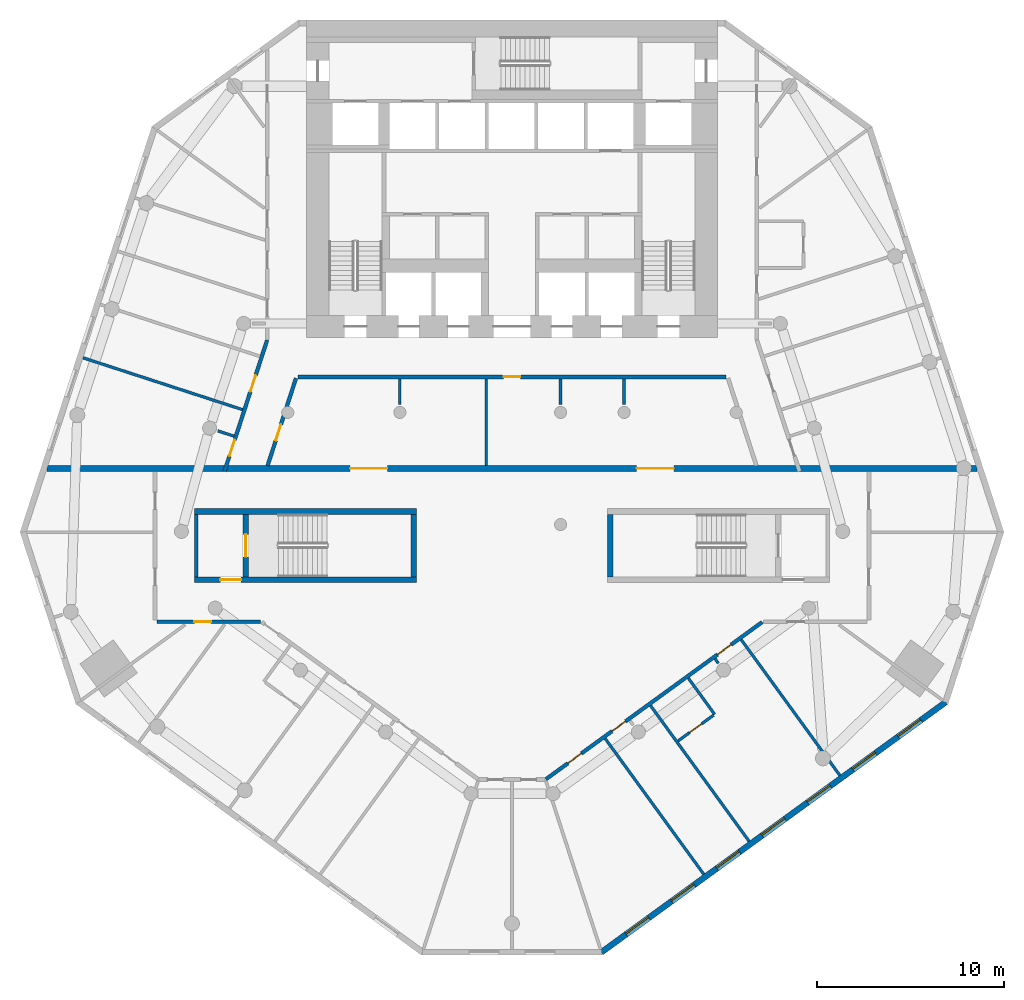
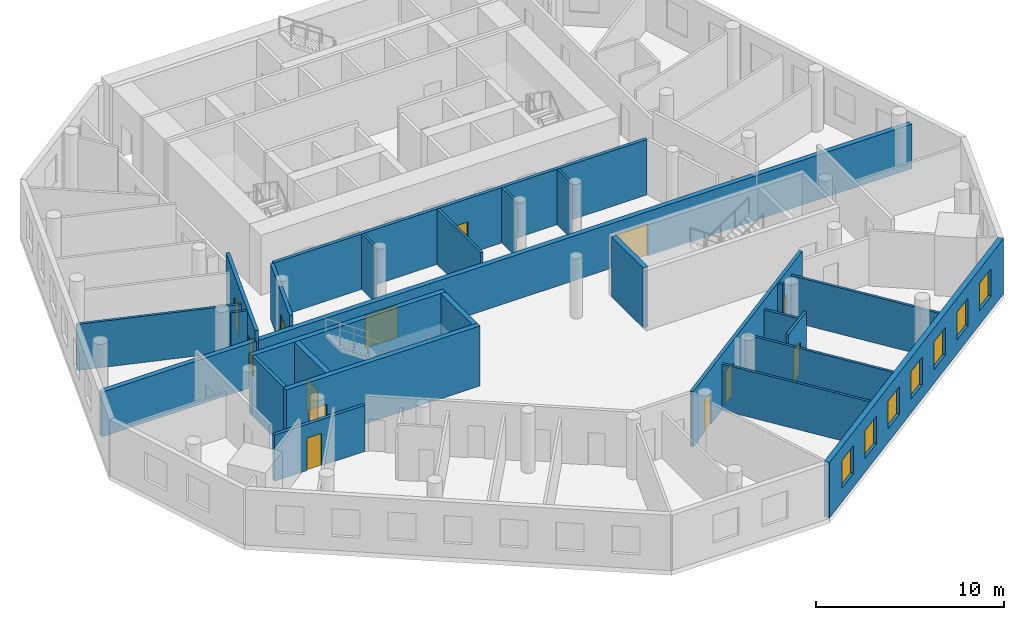
# One storey, part 3 of 9: 25 walls, 13 doors, 7 windows, 20 openings.
"""IFC4 building model written with IfcOpenShell, lengths in metres."""

from ifc_helpers import new_model, si_unit, direction, frame, frame_2d, origin, place, context, subcontext, project, spatial, rectangle, extrude, material, layer, layer_set, type_object, element, fill, save


model = new_model("IFC4")

# Units and contexts
model_context = context("Model", 3, precision=1e-05, world=origin(), true_north=direction((0.0, 1.0)))
body_context = subcontext(model_context, "Body", "Model", "MODEL_VIEW")
ifc_project = project(units=[si_unit("LENGTHUNIT", "METRE"), si_unit("AREAUNIT", "SQUARE_METRE"), si_unit("VOLUMEUNIT", "CUBIC_METRE"), si_unit("PLANEANGLEUNIT", "RADIAN"), si_unit("MASSUNIT", "GRAM", prefix="KILO")], contexts=[model_context])

# Site, building, storey
site_placement = place(None, origin())
site = spatial("IfcSite", under=ifc_project, at=site_placement, CompositionType="ELEMENT")
building_placement = place(site_placement, origin())
building = spatial("IfcBuilding", under=site, at=building_placement, Name="White Candle Pilgrim Tower", CompositionType="ELEMENT")
storey_placement = place(building_placement, frame((0.0, 0.0, 50.699951171875)))
storey = spatial("IfcBuildingStorey", under=building, at=storey_placement, Name="L09", CompositionType="ELEMENT", Elevation=50.699951171875)

# Wall
ifc_material_1 = material(Name="Concrete C70/85", Category="concrete")
ifc_layer_1 = layer(ifc_material_1, 0.199951171875)
ifc_layer_set_1 = layer_set([ifc_layer_1], Name="Core wall 200 mm Concrete C70/85")
wall_type_1 = type_object("IfcWallType", Name="Core wall 200 mm Concrete C70/85", PredefinedType="SHEAR", material=ifc_layer_set_1)
wall_1_placement = place(storey_placement, frame((53.10009765625, 58.199951171875, 0.0), z_axis=(0.0, 0.0, 1.0), x_axis=(0.0, 1.0, 0.0)))
element("IfcWall", 1, at=wall_1_placement, inside=storey, type_object=wall_type_1, Name="WL-L09-C03", PredefinedType="SHEAR", context=body_context, shape_type="SweptSolid", body=[
    extrude(rectangle(XDim=3.35009765625, YDim=0.199951171875, at=frame_2d((1.675048828125, 0.0))), origin(), (0.0, 0.0, 1.0), 3.900146484375),
])

# Wall, openings, doors
ifc_material_2 = material(Name="Gypsum board on steel studs", Category="steel")
ifc_layer_2 = layer(ifc_material_2, 0.199951171875)
ifc_layer_set_2 = layer_set([ifc_layer_2], Name="Corridor wall 200 mm EI 45")
wall_type_2 = type_object("IfcWallType", Name="Corridor wall 200 mm EI 45", PredefinedType="PARTITIONING", material=ifc_layer_set_2)
wall_2_placement = place(storey_placement, frame((54.615234375, 63.85009765625, 0.0), z_axis=(0.0, 0.0, 1.0), x_axis=(0.309020970938, 0.951055224222, 0.0)))
wall_2 = element("IfcWall", 2, at=wall_2_placement, inside=storey, type_object=wall_type_2, Name="WL-L09-P002", PredefinedType="PARTITIONING", context=body_context, shape_type="SweptSolid", body=[
    extrude(rectangle(XDim=7.37744140625, YDim=0.199951171875, at=frame_2d((3.688720703125, 0.0))), origin(), (0.0, 0.0, 1.0), 3.60009765625),
])
opening_1_placement = place(wall_2_placement, frame((0.8583984375, 0.0, 0.0)))
opening_1 = element("IfcOpeningElement", 3, at=opening_1_placement, cuts=wall_2, Name="Opening T02-120", PredefinedType="OPENING", context=body_context, shape_type="SweptSolid", body=[
    extrude(rectangle(XDim=0.89990234375, YDim=2.10009765625, at=frame_2d((0.449951171875, 1.050048828125))), frame((0.0, 0.10986328125, 0.0), z_axis=(0.0, -1.0, 0.0), x_axis=(1.0, 0.0, 0.0)), (0.0, 0.0, 1.0), 0.219970703125),
])
opening_2_placement = place(wall_2_placement, frame((4.486572265625, 0.0, 0.0)))
opening_2 = element("IfcOpeningElement", 4, at=opening_2_placement, cuts=wall_2, Name="Opening T02-121", PredefinedType="OPENING", context=body_context, shape_type="SweptSolid", body=[
    extrude(rectangle(XDim=0.89990234375, YDim=2.10009765625, at=frame_2d((0.449951171875, 1.050048828125))), frame((0.0, 0.10986328125, 0.0), z_axis=(0.0, -1.0, 0.0), x_axis=(1.0, 0.0, 0.0)), (0.0, 0.0, 1.0), 0.219970703125),
])
ifc_material_3 = material(Name="Steel door leaf", Category="steel")
door_type_1 = type_object("IfcDoorType", Name="Fire door 900 x 2100 EI 30", OperationType="NOTDEFINED", PredefinedType="DOOR", material=ifc_material_3)
door_1_placement = place(opening_1_placement, origin())
door_1 = element("IfcDoor", 5, at=door_1_placement, inside=storey, type_object=door_type_1, Name="Door T02-120", OperationType="SINGLE_SWING_RIGHT", OverallHeight=2.10009765625, OverallWidth=0.89990234375, PredefinedType="DOOR", context=body_context, shape_type="SweptSolid", body=[
    extrude(rectangle(XDim=0.89990234375, YDim=2.10009765625, at=frame_2d((0.449951171875, 1.050048828125))), frame((0.0, 0.02490234375, 0.0), z_axis=(0.0, -1.0, 0.0), x_axis=(1.0, 0.0, 0.0)), (0.0, 0.0, 1.0), 0.050048828125),
])
fill(opening_1, door_1)
door_2_placement = place(opening_2_placement, origin())
door_2 = element("IfcDoor", 6, at=door_2_placement, inside=storey, type_object=door_type_1, Name="Door T02-121", OperationType="SINGLE_SWING_LEFT", OverallHeight=2.10009765625, OverallWidth=0.89990234375, PredefinedType="DOOR", context=body_context, shape_type="SweptSolid", body=[
    extrude(rectangle(XDim=0.89990234375, YDim=2.10009765625, at=frame_2d((0.449951171875, 1.050048828125))), frame((0.0, 0.02490234375, 0.0), z_axis=(0.0, -1.0, 0.0), x_axis=(1.0, 0.0, 0.0)), (0.0, 0.0, 1.0), 0.050048828125),
])
fill(opening_2, door_2)

wall_3_placement = place(storey_placement, frame((83.386962890625, 55.781005859375, 0.0), z_axis=(0.0, 0.0, 1.0), x_axis=(-0.809010579214, -0.587794081902, 0.0)))
wall_3 = element("IfcWall", 7, at=wall_3_placement, inside=storey, type_object=wall_type_2, Name="WL-L09-P008", PredefinedType="PARTITIONING", context=body_context, shape_type="SweptSolid", body=[
    extrude(rectangle(XDim=14.302978515625, YDim=0.199951171875, at=frame_2d((7.1513671875, 0.0))), origin(), (0.0, 0.0, 1.0), 3.60009765625),
])
opening_3_placement = place(wall_3_placement, frame((11.947509765625, 0.0, 0.0)))
opening_3 = element("IfcOpeningElement", 8, at=opening_3_placement, cuts=wall_3, Name="Opening T02-110", PredefinedType="OPENING", context=body_context, shape_type="SweptSolid", body=[
    extrude(rectangle(XDim=0.89990234375, YDim=2.10009765625, at=frame_2d((0.449951171875, 1.050048828125))), frame((0.0, 0.10986328125, 0.0), z_axis=(0.0, -1.0, 0.0), x_axis=(1.0, 0.0, 0.0)), (0.0, 0.0, 1.0), 0.219970703125),
])
opening_4_placement = place(wall_3_placement, frame((9.034423828125, 0.0, 0.0)))
opening_4 = element("IfcOpeningElement", 9, at=opening_4_placement, cuts=wall_3, Name="Opening T02-111", PredefinedType="OPENING", context=body_context, shape_type="SweptSolid", body=[
    extrude(rectangle(XDim=0.89990234375, YDim=2.10009765625, at=frame_2d((0.449951171875, 1.050048828125))), frame((0.0, 0.10986328125, 0.0), z_axis=(0.0, -1.0, 0.0), x_axis=(1.0, 0.0, 0.0)), (0.0, 0.0, 1.0), 0.219970703125),
])
opening_5_placement = place(wall_3_placement, frame((2.059326171875, 0.0, 0.0)))
opening_5 = element("IfcOpeningElement", 10, at=opening_5_placement, cuts=wall_3, Name="Opening T02-113", PredefinedType="OPENING", context=body_context, shape_type="SweptSolid", body=[
    extrude(rectangle(XDim=0.89990234375, YDim=2.10009765625, at=frame_2d((0.449951171875, 1.050048828125))), frame((0.0, 0.10986328125, 0.0), z_axis=(0.0, -1.0, 0.0), x_axis=(1.0, 0.0, 0.0)), (0.0, 0.0, 1.0), 0.219970703125),
])
door_3_placement = place(opening_3_placement, origin())
door_3 = element("IfcDoor", 11, at=door_3_placement, inside=storey, type_object=door_type_1, Name="Door T02-110", OperationType="SINGLE_SWING_RIGHT", OverallHeight=2.10009765625, OverallWidth=0.89990234375, PredefinedType="DOOR", context=body_context, shape_type="SweptSolid", body=[
    extrude(rectangle(XDim=0.89990234375, YDim=2.10009765625, at=frame_2d((0.449951171875, 1.050048828125))), frame((0.0, 0.02490234375, 0.0), z_axis=(0.0, -1.0, 0.0), x_axis=(1.0, 0.0, 0.0)), (0.0, 0.0, 1.0), 0.050048828125),
])
fill(opening_3, door_3)
door_4_placement = place(opening_4_placement, origin())
door_4 = element("IfcDoor", 12, at=door_4_placement, inside=storey, type_object=door_type_1, Name="Door T02-111", OperationType="SINGLE_SWING_RIGHT", OverallHeight=2.10009765625, OverallWidth=0.89990234375, PredefinedType="DOOR", context=body_context, shape_type="SweptSolid", body=[
    extrude(rectangle(XDim=0.89990234375, YDim=2.10009765625, at=frame_2d((0.449951171875, 1.050048828125))), frame((0.0, 0.02490234375, 0.0), z_axis=(0.0, -1.0, 0.0), x_axis=(1.0, 0.0, 0.0)), (0.0, 0.0, 1.0), 0.050048828125),
])
fill(opening_4, door_4)
door_5_placement = place(opening_5_placement, frame((0.89990234375, 0.0, 0.0), z_axis=(0.0, 0.0, 1.0), x_axis=(-1.0, 0.0, 0.0)))
door_5 = element("IfcDoor", 13, at=door_5_placement, inside=storey, type_object=door_type_1, Name="Door T02-113", OperationType="SINGLE_SWING_RIGHT", OverallHeight=2.10009765625, OverallWidth=0.89990234375, PredefinedType="DOOR", context=body_context, shape_type="SweptSolid", body=[
    extrude(rectangle(XDim=0.89990234375, YDim=2.10009765625, at=frame_2d((0.449951171875, 1.050048828125))), frame((0.0, 0.02490234375, 0.0), z_axis=(0.0, -1.0, 0.0), x_axis=(1.0, 0.0, 0.0)), (0.0, 0.0, 1.0), 0.050048828125),
])
fill(opening_5, door_5)

# Wall, opening, door
wall_4_placement = place(storey_placement, frame((56.55419921875, 55.800048828125, 0.0), z_axis=(0.0, 0.0, 1.0), x_axis=(-1.0, 0.0, 0.0)))
wall_4 = element("IfcWall", 14, at=wall_4_placement, inside=storey, type_object=wall_type_2, Name="WL-L09-P011", PredefinedType="PARTITIONING", context=body_context, shape_type="SweptSolid", body=[
    extrude(rectangle(XDim=5.55419921875, YDim=0.199951171875, at=frame_2d((2.777099609375, 0.0))), origin(), (0.0, 0.0, 1.0), 3.0),
])
opening_6_placement = place(wall_4_placement, frame((2.6533203125, 0.0, 0.0)))
opening_6 = element("IfcOpeningElement", 15, at=opening_6_placement, cuts=wall_4, Name="Opening T02-102", PredefinedType="OPENING", context=body_context, shape_type="SweptSolid", body=[
    extrude(rectangle(XDim=0.89990234375, YDim=2.10009765625, at=frame_2d((0.449951171875, 1.050048828125))), frame((0.0, 0.10986328125, 0.0), z_axis=(0.0, -1.0, 0.0), x_axis=(1.0, 0.0, 0.0)), (0.0, 0.0, 1.0), 0.219970703125),
])
door_6_placement = place(opening_6_placement, origin())
door_6 = element("IfcDoor", 16, at=door_6_placement, inside=storey, type_object=door_type_1, Name="Door T02-102", OperationType="SINGLE_SWING_RIGHT", OverallHeight=2.10009765625, OverallWidth=0.89990234375, PredefinedType="DOOR", context=body_context, shape_type="SweptSolid", body=[
    extrude(rectangle(XDim=0.89990234375, YDim=2.10009765625, at=frame_2d((0.449951171875, 1.050048828125))), frame((0.0, 0.02490234375, 0.0), z_axis=(0.0, -1.0, 0.0), x_axis=(1.0, 0.0, 0.0)), (0.0, 0.0, 1.0), 0.050048828125),
])
fill(opening_6, door_6)

wall_5_placement = place(storey_placement, frame((81.463134765625, 68.89990234375, 0.0), z_axis=(0.0, 0.0, 1.0), x_axis=(-1.0, 0.0, 0.0)))
wall_5 = element("IfcWall", 17, at=wall_5_placement, inside=storey, type_object=wall_type_2, Name="WL-L09-P013", PredefinedType="PARTITIONING", context=body_context, shape_type="SweptSolid", body=[
    extrude(rectangle(XDim=22.92626953125, YDim=0.199951171875, at=frame_2d((11.463134765625, 0.0))), origin(), (0.0, 0.0, 1.0), 3.60009765625),
])
opening_7_placement = place(wall_5_placement, frame((11.01318359375, 0.0, 0.0)))
opening_7 = element("IfcOpeningElement", 18, at=opening_7_placement, cuts=wall_5, Name="Opening T02-133", PredefinedType="OPENING", context=body_context, shape_type="SweptSolid", body=[
    extrude(rectangle(XDim=0.89990234375, YDim=2.10009765625, at=frame_2d((0.449951171875, 1.050048828125))), frame((0.0, 0.10986328125, 0.0), z_axis=(0.0, -1.0, 0.0), x_axis=(1.0, 0.0, 0.0)), (0.0, 0.0, 1.0), 0.219970703125),
])
door_7_placement = place(opening_7_placement, origin())
door_7 = element("IfcDoor", 19, at=door_7_placement, inside=storey, type_object=door_type_1, Name="Door T02-133", OperationType="SINGLE_SWING_LEFT", OverallHeight=2.10009765625, OverallWidth=0.89990234375, PredefinedType="DOOR", context=body_context, shape_type="SweptSolid", body=[
    extrude(rectangle(XDim=0.89990234375, YDim=2.10009765625, at=frame_2d((0.449951171875, 1.050048828125))), frame((0.0, 0.02490234375, 0.0), z_axis=(0.0, -1.0, 0.0), x_axis=(1.0, 0.0, 0.0)), (0.0, 0.0, 1.0), 0.050048828125),
])
fill(opening_7, door_7)

wall_6_placement = place(storey_placement, frame((58.44189453125, 68.830810546875, 0.0), z_axis=(0.0, 0.0, 1.0), x_axis=(-0.309031112369, -0.951051928965, 0.0)))
wall_6 = element("IfcWall", 20, at=wall_6_placement, inside=storey, type_object=wall_type_2, Name="WL-L09-P014", PredefinedType="PARTITIONING", context=body_context, shape_type="SweptSolid", body=[
    extrude(rectangle(XDim=4.921875, YDim=0.199951171875, at=frame_2d((2.4609375, 0.0))), origin(), (0.0, 0.0, 1.0), 3.60009765625),
])
opening_8_placement = place(wall_6_placement, frame((2.59619140625, 0.0, 0.0)))
opening_8 = element("IfcOpeningElement", 21, at=opening_8_placement, cuts=wall_6, Name="Opening T02-134", PredefinedType="OPENING", context=body_context, shape_type="SweptSolid", body=[
    extrude(rectangle(XDim=0.89990234375, YDim=2.10009765625, at=frame_2d((0.449951171875, 1.050048828125))), frame((0.0, 0.10986328125, 0.0), z_axis=(0.0, -1.0, 0.0), x_axis=(1.0, 0.0, 0.0)), (0.0, 0.0, 1.0), 0.219970703125),
])
door_8_placement = place(opening_8_placement, origin())
door_8 = element("IfcDoor", 22, at=door_8_placement, inside=storey, type_object=door_type_1, Name="Door T02-134", OperationType="SINGLE_SWING_RIGHT", OverallHeight=2.10009765625, OverallWidth=0.89990234375, PredefinedType="DOOR", context=body_context, shape_type="SweptSolid", body=[
    extrude(rectangle(XDim=0.89990234375, YDim=2.10009765625, at=frame_2d((0.449951171875, 1.050048828125))), frame((0.0, 0.02490234375, 0.0), z_axis=(0.0, -1.0, 0.0), x_axis=(1.0, 0.0, 0.0)), (0.0, 0.0, 1.0), 0.050048828125),
])
fill(opening_8, door_8)

# Wall, openings, windows
ifc_material_4 = material(Name="Precast concrete C40/50", Category="concrete")
ifc_layer_3 = layer(ifc_material_4, 0.320068359375)
ifc_layer_set_3 = layer_set([ifc_layer_3], Name="Facade wall EW1 precast concrete C40/50 pier wall with timber-lined reveals")
wall_type_3 = type_object("IfcWallType", Name="Facade wall EW1 precast concrete C40/50 pier wall with timber-lined reveals", PredefinedType="SOLIDWALL", material=ifc_layer_set_3)
wall_7_placement = place(storey_placement, frame((74.79150390625, 38.11474609375, 0.0), z_axis=(0.0, 0.0, 1.0), x_axis=(0.80901991267, 0.587781235583, 0.0)))
wall_7 = element("IfcWall", 23, at=wall_7_placement, inside=storey, type_object=wall_type_3, Name="Facade wall L09 SE", PredefinedType="SOLIDWALL", context=body_context, shape_type="SweptSolid", body=[
    extrude(rectangle(XDim=22.7568359375, YDim=0.320068359375, at=frame_2d((11.37841796875, 0.0))), origin(), (0.0, 0.0, 1.0), 3.60009765625),
])
opening_9_placement = place(wall_7_placement, frame((1.62841796875, 0.0, 0.89990234375)))
opening_9 = element("IfcOpeningElement", 24, at=opening_9_placement, cuts=wall_7, Name="Opening W1", PredefinedType="OPENING", context=body_context, shape_type="SweptSolid", body=[
    extrude(rectangle(XDim=1.5, YDim=1.800048828125, at=frame_2d((0.75, 0.89990234375))), frame((0.0, 0.169921875, 0.0), z_axis=(0.0, -1.0, 0.0), x_axis=(1.0, 0.0, 0.0)), (0.0, 0.0, 1.0), 0.340087890625),
])
opening_10_placement = place(wall_7_placement, frame((4.62841796875, 0.0, 0.89990234375)))
opening_10 = element("IfcOpeningElement", 25, at=opening_10_placement, cuts=wall_7, Name="Opening W1", PredefinedType="OPENING", context=body_context, shape_type="SweptSolid", body=[
    extrude(rectangle(XDim=1.5, YDim=1.800048828125, at=frame_2d((0.75, 0.89990234375))), frame((0.0, 0.169921875, 0.0), z_axis=(0.0, -1.0, 0.0), x_axis=(1.0, 0.0, 0.0)), (0.0, 0.0, 1.0), 0.340087890625),
])
opening_11_placement = place(wall_7_placement, frame((7.62841796875, 0.0, 0.89990234375)))
opening_11 = element("IfcOpeningElement", 26, at=opening_11_placement, cuts=wall_7, Name="Opening W1", PredefinedType="OPENING", context=body_context, shape_type="SweptSolid", body=[
    extrude(rectangle(XDim=1.5, YDim=1.800048828125, at=frame_2d((0.75, 0.89990234375))), frame((0.0, 0.169921875, 0.0), z_axis=(0.0, -1.0, 0.0), x_axis=(1.0, 0.0, 0.0)), (0.0, 0.0, 1.0), 0.340087890625),
])
opening_12_placement = place(wall_7_placement, frame((10.62841796875, 0.0, 0.89990234375)))
opening_12 = element("IfcOpeningElement", 27, at=opening_12_placement, cuts=wall_7, Name="Opening W1", PredefinedType="OPENING", context=body_context, shape_type="SweptSolid", body=[
    extrude(rectangle(XDim=1.5, YDim=1.800048828125, at=frame_2d((0.75, 0.89990234375))), frame((0.0, 0.169921875, 0.0), z_axis=(0.0, -1.0, 0.0), x_axis=(1.0, 0.0, 0.0)), (0.0, 0.0, 1.0), 0.340087890625),
])
opening_13_placement = place(wall_7_placement, frame((13.62841796875, 0.0, 0.89990234375)))
opening_13 = element("IfcOpeningElement", 28, at=opening_13_placement, cuts=wall_7, Name="Opening W1", PredefinedType="OPENING", context=body_context, shape_type="SweptSolid", body=[
    extrude(rectangle(XDim=1.5, YDim=1.800048828125, at=frame_2d((0.75, 0.89990234375))), frame((0.0, 0.169921875, 0.0), z_axis=(0.0, -1.0, 0.0), x_axis=(1.0, 0.0, 0.0)), (0.0, 0.0, 1.0), 0.340087890625),
])
opening_14_placement = place(wall_7_placement, frame((16.62841796875, 0.0, 0.89990234375)))
opening_14 = element("IfcOpeningElement", 29, at=opening_14_placement, cuts=wall_7, Name="Opening W1", PredefinedType="OPENING", context=body_context, shape_type="SweptSolid", body=[
    extrude(rectangle(XDim=1.5, YDim=1.800048828125, at=frame_2d((0.75, 0.89990234375))), frame((0.0, 0.169921875, 0.0), z_axis=(0.0, -1.0, 0.0), x_axis=(1.0, 0.0, 0.0)), (0.0, 0.0, 1.0), 0.340087890625),
])
opening_15_placement = place(wall_7_placement, frame((19.62841796875, 0.0, 0.89990234375)))
opening_15 = element("IfcOpeningElement", 30, at=opening_15_placement, cuts=wall_7, Name="Opening W1", PredefinedType="OPENING", context=body_context, shape_type="SweptSolid", body=[
    extrude(rectangle(XDim=1.5, YDim=1.800048828125, at=frame_2d((0.75, 0.89990234375))), frame((0.0, 0.169921875, 0.0), z_axis=(0.0, -1.0, 0.0), x_axis=(1.0, 0.0, 0.0)), (0.0, 0.0, 1.0), 0.340087890625),
])
ifc_material_5 = material(Name="Timber frame with triple glazing", Category="wood")
window_type = type_object("IfcWindowType", Name="Window W1 1500x1800 timber frame triple glazing", PartitioningType="SINGLE_PANEL", PredefinedType="WINDOW", material=ifc_material_5)
window_1_placement = place(opening_9_placement, origin())
window_1 = element("IfcWindow", 31, at=window_1_placement, inside=storey, type_object=window_type, Name="Window W1 L09 SE 1", OverallHeight=1.800048828125, OverallWidth=1.5, PartitioningType="SINGLE_PANEL", PredefinedType="WINDOW", context=body_context, shape_type="SweptSolid", body=[
    extrude(rectangle(XDim=1.5, YDim=1.800048828125, at=frame_2d((0.75, 0.89990234375))), frame((0.0, 0.070068359375, 0.0), z_axis=(0.0, -1.0, 0.0), x_axis=(1.0, 0.0, 0.0)), (0.0, 0.0, 1.0), 0.06005859375),
])
fill(opening_9, window_1)
window_2_placement = place(opening_10_placement, origin())
window_2 = element("IfcWindow", 32, at=window_2_placement, inside=storey, type_object=window_type, Name="Window W1 L09 SE 2", OverallHeight=1.800048828125, OverallWidth=1.5, PartitioningType="SINGLE_PANEL", PredefinedType="WINDOW", context=body_context, shape_type="SweptSolid", body=[
    extrude(rectangle(XDim=1.5, YDim=1.800048828125, at=frame_2d((0.75, 0.89990234375))), frame((0.0, 0.070068359375, 0.0), z_axis=(0.0, -1.0, 0.0), x_axis=(1.0, 0.0, 0.0)), (0.0, 0.0, 1.0), 0.06005859375),
])
fill(opening_10, window_2)
window_3_placement = place(opening_11_placement, origin())
window_3 = element("IfcWindow", 33, at=window_3_placement, inside=storey, type_object=window_type, Name="Window W1 L09 SE 3", OverallHeight=1.800048828125, OverallWidth=1.5, PartitioningType="SINGLE_PANEL", PredefinedType="WINDOW", context=body_context, shape_type="SweptSolid", body=[
    extrude(rectangle(XDim=1.5, YDim=1.800048828125, at=frame_2d((0.75, 0.89990234375))), frame((0.0, 0.070068359375, 0.0), z_axis=(0.0, -1.0, 0.0), x_axis=(1.0, 0.0, 0.0)), (0.0, 0.0, 1.0), 0.06005859375),
])
fill(opening_11, window_3)
window_4_placement = place(opening_12_placement, origin())
window_4 = element("IfcWindow", 34, at=window_4_placement, inside=storey, type_object=window_type, Name="Window W1 L09 SE 4", OverallHeight=1.800048828125, OverallWidth=1.5, PartitioningType="SINGLE_PANEL", PredefinedType="WINDOW", context=body_context, shape_type="SweptSolid", body=[
    extrude(rectangle(XDim=1.5, YDim=1.800048828125, at=frame_2d((0.75, 0.89990234375))), frame((0.0, 0.070068359375, 0.0), z_axis=(0.0, -1.0, 0.0), x_axis=(1.0, 0.0, 0.0)), (0.0, 0.0, 1.0), 0.06005859375),
])
fill(opening_12, window_4)
window_5_placement = place(opening_13_placement, origin())
window_5 = element("IfcWindow", 35, at=window_5_placement, inside=storey, type_object=window_type, Name="Window W1 L09 SE 5", OverallHeight=1.800048828125, OverallWidth=1.5, PartitioningType="SINGLE_PANEL", PredefinedType="WINDOW", context=body_context, shape_type="SweptSolid", body=[
    extrude(rectangle(XDim=1.5, YDim=1.800048828125, at=frame_2d((0.75, 0.89990234375))), frame((0.0, 0.070068359375, 0.0), z_axis=(0.0, -1.0, 0.0), x_axis=(1.0, 0.0, 0.0)), (0.0, 0.0, 1.0), 0.06005859375),
])
fill(opening_13, window_5)
window_6_placement = place(opening_14_placement, origin())
window_6 = element("IfcWindow", 36, at=window_6_placement, inside=storey, type_object=window_type, Name="Window W1 L09 SE 6", OverallHeight=1.800048828125, OverallWidth=1.5, PartitioningType="SINGLE_PANEL", PredefinedType="WINDOW", context=body_context, shape_type="SweptSolid", body=[
    extrude(rectangle(XDim=1.5, YDim=1.800048828125, at=frame_2d((0.75, 0.89990234375))), frame((0.0, 0.070068359375, 0.0), z_axis=(0.0, -1.0, 0.0), x_axis=(1.0, 0.0, 0.0)), (0.0, 0.0, 1.0), 0.06005859375),
])
fill(opening_14, window_6)
window_7_placement = place(opening_15_placement, origin())
window_7 = element("IfcWindow", 37, at=window_7_placement, inside=storey, type_object=window_type, Name="Window W1 L09 SE 7", OverallHeight=1.800048828125, OverallWidth=1.5, PartitioningType="SINGLE_PANEL", PredefinedType="WINDOW", context=body_context, shape_type="SweptSolid", body=[
    extrude(rectangle(XDim=1.5, YDim=1.800048828125, at=frame_2d((0.75, 0.89990234375))), frame((0.0, 0.070068359375, 0.0), z_axis=(0.0, -1.0, 0.0), x_axis=(1.0, 0.0, 0.0)), (0.0, 0.0, 1.0), 0.06005859375),
])
fill(opening_15, window_7)

# Wall, openings, doors
ifc_material_6 = material(Name="Aerated concrete block", Category="concrete")
ifc_layer_4 = layer(ifc_material_6, 0.300048828125)
ifc_layer_set_4 = layer_set([ifc_layer_4], Name="Fire wall 300 mm REI 240")
wall_type_4 = type_object("IfcWallType", Name="Fire wall 300 mm REI 240", PredefinedType="PARTITIONING", material=ifc_layer_set_4)
wall_8_placement = place(storey_placement, frame((45.11669921875, 64.0, 0.0), z_axis=(0.0, 0.0, 1.0), x_axis=(1.0, 0.0, 0.0)))
wall_8 = element("IfcWall", 38, at=wall_8_placement, inside=storey, type_object=wall_type_4, Name="WL-L09-P001", PredefinedType="PARTITIONING", context=body_context, shape_type="SweptSolid", body=[
    extrude(rectangle(XDim=49.7666015625, YDim=0.300048828125, at=frame_2d((24.88330078125, 0.0))), origin(), (0.0, 0.0, 1.0), 2.900146484375),
])
opening_16_placement = place(wall_8_placement, frame((16.215087890625, 0.0, 0.0)))
opening_16 = element("IfcOpeningElement", 39, at=opening_16_placement, cuts=wall_8, Name="Opening T02-117", PredefinedType="OPENING", context=body_context, shape_type="SweptSolid", body=[
    extrude(rectangle(XDim=2.0, YDim=2.10009765625, at=frame_2d((1.0, 1.050048828125))), frame((0.0, 0.159912109375, 0.0), z_axis=(0.0, -1.0, 0.0), x_axis=(1.0, 0.0, 0.0)), (0.0, 0.0, 1.0), 0.320068359375),
])
opening_17_placement = place(wall_8_placement, frame((31.55126953125, 0.0, 0.0)))
opening_17 = element("IfcOpeningElement", 40, at=opening_17_placement, cuts=wall_8, Name="Opening T02-118", PredefinedType="OPENING", context=body_context, shape_type="SweptSolid", body=[
    extrude(rectangle(XDim=2.0, YDim=2.10009765625, at=frame_2d((1.0, 1.050048828125))), frame((0.0, 0.159912109375, 0.0), z_axis=(0.0, -1.0, 0.0), x_axis=(1.0, 0.0, 0.0)), (0.0, 0.0, 1.0), 0.320068359375),
])
door_type_2 = type_object("IfcDoorType", Name="Fire door 2000 x 2100 EI 60", OperationType="NOTDEFINED", PredefinedType="DOOR", material=ifc_material_3)
door_9_placement = place(opening_16_placement, origin())
door_9 = element("IfcDoor", 41, at=door_9_placement, inside=storey, type_object=door_type_2, Name="Door T02-117", OperationType="DOUBLE_DOOR_SINGLE_SWING", OverallHeight=2.10009765625, OverallWidth=2.0, PredefinedType="DOOR", context=body_context, shape_type="SweptSolid", body=[
    extrude(rectangle(XDim=2.0, YDim=2.10009765625, at=frame_2d((1.0, 1.050048828125))), frame((0.0, 0.02490234375, 0.0), z_axis=(0.0, -1.0, 0.0), x_axis=(1.0, 0.0, 0.0)), (0.0, 0.0, 1.0), 0.050048828125),
])
fill(opening_16, door_9)
door_10_placement = place(opening_17_placement, origin())
door_10 = element("IfcDoor", 42, at=door_10_placement, inside=storey, type_object=door_type_2, Name="Door T02-118", OperationType="DOUBLE_DOOR_SINGLE_SWING", OverallHeight=2.10009765625, OverallWidth=2.0, PredefinedType="DOOR", context=body_context, shape_type="SweptSolid", body=[
    extrude(rectangle(XDim=2.0, YDim=2.10009765625, at=frame_2d((1.0, 1.050048828125))), frame((0.0, 0.02490234375, 0.0), z_axis=(0.0, -1.0, 0.0), x_axis=(1.0, 0.0, 0.0)), (0.0, 0.0, 1.0), 0.050048828125),
])
fill(opening_17, door_10)

# Walls
ifc_layer_5 = layer(ifc_material_2, 0.14990234375)
ifc_layer_set_5 = layer_set([ifc_layer_5], Name="Partition 150 mm EI 60")
wall_type_5 = type_object("IfcWallType", Name="Partition 150 mm EI 60", PredefinedType="PARTITIONING", material=ifc_layer_set_5)
for number, where, z_axis, x_axis, name in (
    (43, (47.041748046875, 69.92431640625, 0.0), (0.0, 0.0, 1.0), (0.951059239389, -0.309008613427, 0.0), "WL-L09-P028"),
    (44, (80.26220703125, 42.287109375, 0.0), (0.0, 0.0, 1.0), (-0.587790127827, 0.809013452069, 0.0), "WL-L09-P036"),
    (45, (82.689208984375, 44.050537109375, 0.0), (0.0, 0.0, 1.0), (-0.587790127827, 0.809013452069, 0.0), "WL-L09-P037"),
    (46, (87.54345703125, 47.5771484375, 0.0), (0.0, 0.0, 1.0), (-0.587790127827, 0.809013452069, 0.0), "WL-L09-P038"),
):
    element("IfcWall", number, at=place(storey_placement, frame(where, z_axis=z_axis, x_axis=x_axis)), inside=storey, type_object=wall_type_5, Name=name, PredefinedType="PARTITIONING", context=body_context, shape_type="SweptSolid", body=[
        extrude(rectangle(XDim=8.97998046875, YDim=0.14990234375, at=frame_2d((4.489990234375, 0.0))), origin(), (0.0, 0.0, 1.0), 3.0),
    ])
wall_9_placement = place(storey_placement, frame((79.43359375, 52.784912109375, 0.0), z_axis=(0.0, 0.0, 1.0), x_axis=(0.587772420479, -0.809026317077, 0.0)))
element("IfcWall", 47, at=wall_9_placement, inside=storey, type_object=wall_type_5, Name="WL-L09-P039", PredefinedType="PARTITIONING", context=body_context, shape_type="SweptSolid", body=[
    extrude(rectangle(XDim=2.39990234375, YDim=0.14990234375, at=frame_2d((1.199951171875, 0.0))), origin(), (0.0, 0.0, 1.0), 3.0),
])

# Wall, opening, door
wall_10_placement = place(storey_placement, frame((78.88232421875, 49.41796875, 0.0), z_axis=(0.0, 0.0, 1.0), x_axis=(0.808996573949, 0.587813357571, 0.0)))
wall_10 = element("IfcWall", 48, at=wall_10_placement, inside=storey, type_object=wall_type_5, Name="WL-L09-P040", PredefinedType="PARTITIONING", context=body_context, shape_type="SweptSolid", body=[
    extrude(rectangle(XDim=2.35009765625, YDim=0.14990234375, at=frame_2d((1.175048828125, 0.0))), origin(), (0.0, 0.0, 1.0), 3.60009765625),
])
opening_18_placement = place(wall_10_placement, frame((0.77490234375, 0.0, 0.0)))
opening_18 = element("IfcOpeningElement", 49, at=opening_18_placement, cuts=wall_10, Name="Opening T02-112", PredefinedType="OPENING", context=body_context, shape_type="SweptSolid", body=[
    extrude(rectangle(XDim=0.800048828125, YDim=2.10009765625, at=frame_2d((0.39990234375, 1.050048828125))), frame((0.0, 0.0849609375, 0.0), z_axis=(0.0, -1.0, 0.0), x_axis=(1.0, 0.0, 0.0)), (0.0, 0.0, 1.0), 0.169921875),
])
door_type_3 = type_object("IfcDoorType", Name="Fire door 800 x 2100 EI 30", OperationType="NOTDEFINED", PredefinedType="DOOR", material=ifc_material_3)
door_11_placement = place(opening_18_placement, frame((0.800048828125, 0.0, 0.0), z_axis=(0.0, 0.0, 1.0), x_axis=(-1.0, 0.0, 0.0)))
door_11 = element("IfcDoor", 50, at=door_11_placement, inside=storey, type_object=door_type_3, Name="Door T02-112", OperationType="SINGLE_SWING_LEFT", OverallHeight=2.10009765625, OverallWidth=0.800048828125, PredefinedType="DOOR", context=body_context, shape_type="SweptSolid", body=[
    extrude(rectangle(XDim=0.800048828125, YDim=2.10009765625, at=frame_2d((0.39990234375, 1.050048828125))), frame((0.0, 0.02490234375, 0.0), z_axis=(0.0, -1.0, 0.0), x_axis=(1.0, 0.0, 0.0)), (0.0, 0.0, 1.0), 0.050048828125),
])
fill(opening_18, door_11)

# Walls
wall_11_placement = place(storey_placement, frame((68.62451171875, 64.14990234375, 0.0), z_axis=(0.0, 0.0, 1.0), x_axis=(0.0, 1.0, 0.0)))
element("IfcWall", 51, at=wall_11_placement, inside=storey, type_object=wall_type_5, Name="WL-L09-P048", PredefinedType="PARTITIONING", context=body_context, shape_type="SweptSolid", body=[
    extrude(rectangle(XDim=4.650146484375, YDim=0.14990234375, at=frame_2d((2.3251953125, 0.0))), origin(), (0.0, 0.0, 1.0), 3.60009765625),
])
wall_12_placement = place(storey_placement, frame((81.039306640625, 53.58056640625, 0.0), z_axis=(0.0, 0.0, 1.0), x_axis=(-0.588220071792, 0.808700900915, 0.0)))
element("IfcWall", 52, at=wall_12_placement, inside=storey, type_object=wall_type_5, Name="WL-L09-P053", PredefinedType="PARTITIONING", context=body_context, shape_type="SweptSolid", body=[
    extrude(rectangle(XDim=0.300048828125, YDim=0.14990234375, at=frame_2d((0.14990234375, 0.0))), origin(), (0.0, 0.0, 1.0), 3.60009765625),
])
wall_13_placement = place(storey_placement, frame((54.260986328125, 66.012939453125, 0.0), z_axis=(0.0, 0.0, 1.0), x_axis=(0.951055863971, -0.309019002016, 0.0)))
element("IfcWall", 53, at=wall_13_placement, inside=storey, type_object=wall_type_5, Name="WL-L09-P057", PredefinedType="PARTITIONING", context=body_context, shape_type="SweptSolid", body=[
    extrude(rectangle(XDim=0.905517578125, YDim=0.14990234375, at=frame_2d((0.45263671875, 0.0))), origin(), (0.0, 0.0, 1.0), 3.60009765625),
])
for number, where, z_axis, x_axis, name in (
    (54, (63.997802734375, 67.4150390625, 0.0), (0.0, 0.0, 1.0), (0.0, 1.0, 0.0), "WL-L09-P058"),
    (55, (72.59765625, 67.4150390625, 0.0), (0.0, 0.0, 1.0), (0.0, 1.0, 0.0), "WL-L09-P059"),
    (56, (75.997802734375, 67.4150390625, 0.0), (0.0, 0.0, 1.0), (0.0, 1.0, 0.0), "WL-L09-P060"),
):
    element("IfcWall", number, at=place(storey_placement, frame(where, z_axis=z_axis, x_axis=x_axis)), inside=storey, type_object=wall_type_5, Name=name, PredefinedType="PARTITIONING", context=body_context, shape_type="SweptSolid", body=[
        extrude(rectangle(XDim=1.385009765625, YDim=0.14990234375, at=frame_2d((0.6923828125, 0.0))), origin(), (0.0, 0.0, 1.0), 3.60009765625),
    ])

# Wall, opening, door
ifc_layer_6 = layer(ifc_material_1, 0.300048828125)
ifc_layer_set_6 = layer_set([ifc_layer_6], Name="Stair shaft wall 300 mm Concrete C70/85")
wall_type_6 = type_object("IfcWallType", Name="Stair shaft wall 300 mm Concrete C70/85", PredefinedType="SHEAR", material=ifc_layer_set_6)
wall_14_placement = place(storey_placement, frame((53.0, 58.050048828125, 0.0), z_axis=(0.0, 0.0, 1.0), x_axis=(1.0, 0.0, 0.0)))
wall_14 = element("IfcWall", 57, at=wall_14_placement, inside=storey, type_object=wall_type_6, Name="WL-L09-C01", PredefinedType="SHEAR", context=body_context, shape_type="SweptSolid", body=[
    extrude(rectangle(XDim=11.89990234375, YDim=0.300048828125, at=frame_2d((5.949951171875, 0.0))), origin(), (0.0, 0.0, 1.0), 3.900146484375),
])
opening_19_placement = place(wall_14_placement, frame((1.39990234375, 0.0, 0.0)))
opening_19 = element("IfcOpeningElement", 58, at=opening_19_placement, cuts=wall_14, Name="Opening T02-007", PredefinedType="OPENING", context=body_context, shape_type="SweptSolid", body=[
    extrude(rectangle(XDim=1.10009765625, YDim=2.10009765625, at=frame_2d((0.550048828125, 1.050048828125))), frame((0.0, 0.159912109375, 0.0), z_axis=(0.0, -1.0, 0.0), x_axis=(1.0, 0.0, 0.0)), (0.0, 0.0, 1.0), 0.320068359375),
])
door_type_4 = type_object("IfcDoorType", Name="Fire door 1100 x 2100 EI 60", OperationType="NOTDEFINED", PredefinedType="DOOR", material=ifc_material_3)
door_12_placement = place(opening_19_placement, origin())
door_12 = element("IfcDoor", 59, at=door_12_placement, inside=storey, type_object=door_type_4, Name="Door T02-007", OperationType="SINGLE_SWING_LEFT", OverallHeight=2.10009765625, OverallWidth=1.10009765625, PredefinedType="DOOR", context=body_context, shape_type="SweptSolid", body=[
    extrude(rectangle(XDim=1.10009765625, YDim=2.10009765625, at=frame_2d((0.550048828125, 1.050048828125))), frame((0.0, 0.02490234375, 0.0), z_axis=(0.0, -1.0, 0.0), x_axis=(1.0, 0.0, 0.0)), (0.0, 0.0, 1.0), 0.050048828125),
])
fill(opening_19, door_12)

wall_15_placement = place(storey_placement, frame((55.75, 58.199951171875, 0.0), z_axis=(0.0, 0.0, 1.0), x_axis=(0.0, 1.0, 0.0)))
wall_15 = element("IfcWall", 60, at=wall_15_placement, inside=storey, type_object=wall_type_6, Name="WL-L09-C04", PredefinedType="SHEAR", context=body_context, shape_type="SweptSolid", body=[
    extrude(rectangle(XDim=3.35009765625, YDim=0.300048828125, at=frame_2d((1.675048828125, 0.0))), origin(), (0.0, 0.0, 1.0), 3.900146484375),
])
opening_20_placement = place(wall_15_placement, frame((1.074951171875, 0.0, 0.0)))
opening_20 = element("IfcOpeningElement", 61, at=opening_20_placement, cuts=wall_15, Name="Opening T02-008", PredefinedType="OPENING", context=body_context, shape_type="SweptSolid", body=[
    extrude(rectangle(XDim=1.199951171875, YDim=2.10009765625, at=frame_2d((0.60009765625, 1.050048828125))), frame((0.0, 0.159912109375, 0.0), z_axis=(0.0, -1.0, 0.0), x_axis=(1.0, 0.0, 0.0)), (0.0, 0.0, 1.0), 0.320068359375),
])
door_type_5 = type_object("IfcDoorType", Name="Fire door 1200 x 2100 EI 60", OperationType="NOTDEFINED", PredefinedType="DOOR", material=ifc_material_3)
door_13_placement = place(opening_20_placement, frame((1.199951171875, 0.0, 0.0), z_axis=(0.0, 0.0, 1.0), x_axis=(-1.0, 0.0, 0.0)))
door_13 = element("IfcDoor", 62, at=door_13_placement, inside=storey, type_object=door_type_5, Name="Door T02-008", OperationType="SINGLE_SWING_LEFT", OverallHeight=2.10009765625, OverallWidth=1.199951171875, PredefinedType="DOOR", context=body_context, shape_type="SweptSolid", body=[
    extrude(rectangle(XDim=1.199951171875, YDim=2.10009765625, at=frame_2d((0.60009765625, 1.050048828125))), frame((0.0, 0.02490234375, 0.0), z_axis=(0.0, -1.0, 0.0), x_axis=(1.0, 0.0, 0.0)), (0.0, 0.0, 1.0), 0.050048828125),
])
fill(opening_20, door_13)

# Walls
for number, where, z_axis, x_axis, name in (
    (63, (64.75, 58.199951171875, 0.0), (0.0, 0.0, 1.0), (0.0, 1.0, 0.0), "WL-L09-C05"),
    (64, (75.25, 58.199951171875, 0.0), (0.0, 0.0, 1.0), (0.0, 1.0, 0.0), "WL-L09-C06"),
):
    element("IfcWall", number, at=place(storey_placement, frame(where, z_axis=z_axis, x_axis=x_axis)), inside=storey, type_object=wall_type_6, Name=name, PredefinedType="SHEAR", context=body_context, shape_type="SweptSolid", body=[
        extrude(rectangle(XDim=3.35009765625, YDim=0.300048828125, at=frame_2d((1.675048828125, 0.0))), origin(), (0.0, 0.0, 1.0), 3.900146484375),
    ])
wall_16_placement = place(storey_placement, frame((53.0, 61.699951171875, 0.0), z_axis=(0.0, 0.0, 1.0), x_axis=(1.0, 0.0, 0.0)))
element("IfcWall", 65, at=wall_16_placement, inside=storey, type_object=wall_type_6, Name="WL-L09-C09", PredefinedType="SHEAR", context=body_context, shape_type="SweptSolid", body=[
    extrude(rectangle(XDim=11.89990234375, YDim=0.300048828125, at=frame_2d((5.949951171875, 0.0))), origin(), (0.0, 0.0, 1.0), 3.900146484375),
])

save(model, "model.ifc")
